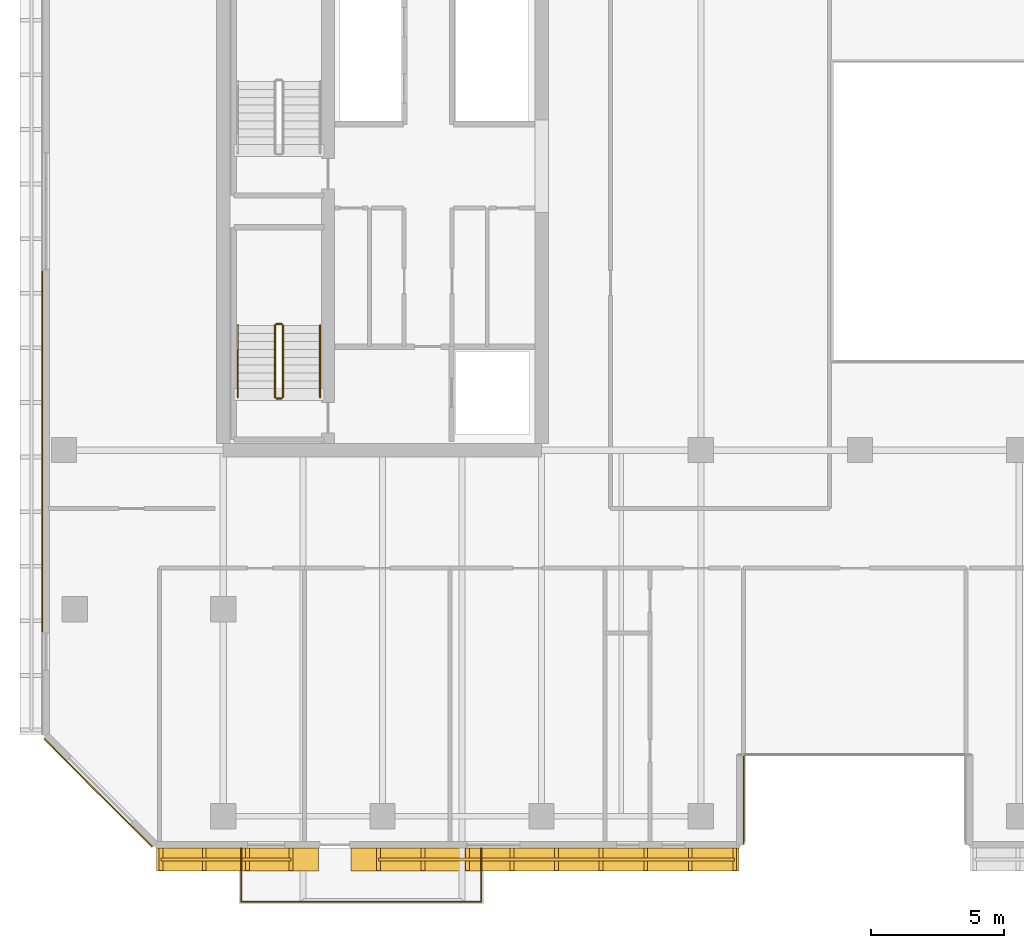
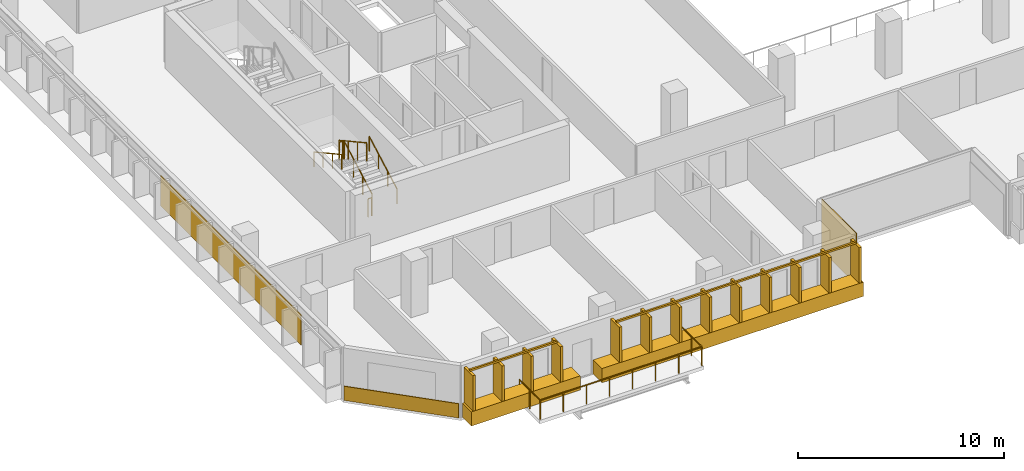
# One storey, part 18 of 23: 9 railings, 5 coverings.
"""IFC4 building model written with IfcOpenShell, lengths in metres."""

from ifc_helpers import new_model, si_unit, direction, frame, origin, origin_2d, place, context, subcontext, project, spatial, rectangle, extrude, material, layer, layer_set, type_object, element, save


model = new_model("IFC4")

# Units and contexts
model_context = context("Model", 3, precision=1e-05, world=origin(), true_north=direction((0.0, 1.0)))
body_context = subcontext(model_context, "Body", "Model", "MODEL_VIEW")
ifc_project = project(units=[si_unit("LENGTHUNIT", "METRE"), si_unit("AREAUNIT", "SQUARE_METRE"), si_unit("VOLUMEUNIT", "CUBIC_METRE"), si_unit("PLANEANGLEUNIT", "RADIAN"), si_unit("MASSUNIT", "GRAM", prefix="KILO")], contexts=[model_context])

# Site, building, storey
site_placement = place(None, origin())
site = spatial("IfcSite", under=ifc_project, at=site_placement, CompositionType="ELEMENT")
building_placement = place(site_placement, origin())
building = spatial("IfcBuilding", under=site, at=building_placement, Name="Tanjung Sevakor Pilgrim Tower", CompositionType="ELEMENT")
storey_placement = place(building_placement, frame((0.0, 0.0, 105.27001953125)))
storey = spatial("IfcBuildingStorey", under=building, at=storey_placement, Name="L29", CompositionType="ELEMENT", Elevation=105.27001953125)

# Coverings
ifc_material_1 = material(Name="Reconstructed Limestone Cladding", Category="masonry")
ifc_layer = layer(ifc_material_1, 0.044921875)
ifc_layer_set = layer_set([ifc_layer], Name="COV-CLAD-LIMESTONE")
covering_type = type_object("IfcCoveringType", Name="COV-CLAD-LIMESTONE", PredefinedType="CLADDING", material=ifc_layer_set)
covering_1_placement = place(storey_placement, frame((24.541015625, 9.169921875, 0.009765625), z_axis=(0.0, 0.0, 1.0), x_axis=(1.0, 0.0, 0.0)))
element("IfcCovering", 1, at=covering_1_placement, inside=storey, type_object=covering_type, Name="L29 Warm Limestone Sill Spandrel EW-L29-MAIN-1-1", PredefinedType="CLADDING", context=body_context, shape_type="SweptSolid", body=[
    extrude(rectangle(XDim=6.09814453125, YDim=0.860107421875, at=origin_2d()), origin(), (0.0, 0.0, 1.0), 0.840087890625),
])
covering_2_placement = place(storey_placement, frame((36.12255859375, 9.169921875, 0.009765625), z_axis=(0.0, 0.0, 1.0), x_axis=(1.0, 0.0, 0.0)))
element("IfcCovering", 2, at=covering_2_placement, inside=storey, type_object=covering_type, Name="L29 Warm Limestone Sill Spandrel EW-L29-MAIN-1-2", PredefinedType="CLADDING", context=body_context, shape_type="SweptSolid", body=[
    extrude(rectangle(XDim=14.625, YDim=0.860107421875, at=origin_2d()), origin(), (0.0, 0.0, 1.0), 0.840087890625),
])
covering_3_placement = place(storey_placement, frame((43.62255859375, 11.425048828125, 0.02001953125), z_axis=(0.0, 0.0, 1.0), x_axis=(0.0, 1.0, 0.0)))
element("IfcCovering", 3, at=covering_3_placement, inside=storey, type_object=covering_type, Name="L29 Warm Limestone Wall Cladding EW-L29-MAIN-2", PredefinedType="CLADDING", context=body_context, shape_type="SweptSolid", body=[
    extrude(rectangle(XDim=3.360107421875, YDim=0.044921875, at=origin_2d()), origin(), (0.0, 0.0, 1.0), 3.0400390625),
])
covering_4_placement = place(storey_placement, frame((17.177490234375, 24.552978515625, 0.849853515625), z_axis=(0.0, 0.0, 1.0), x_axis=(0.0, -1.0, 0.0)))
element("IfcCovering", 4, at=covering_4_placement, inside=storey, type_object=covering_type, Name="L29 Warm Limestone Pier Panel EW-L29-MAIN-15-2", PredefinedType="CLADDING", context=body_context, shape_type="SweptSolid", body=[
    extrude(rectangle(XDim=13.593994140625, YDim=0.044921875, at=origin_2d()), origin(), (0.0, 0.0, 1.0), 1.81005859375),
])
covering_5_placement = place(storey_placement, frame((19.2841796875, 11.68408203125, 0.009765625), z_axis=(0.0, 0.0, 1.0), x_axis=(0.707106781187, -0.707106781187, 0.0)))
element("IfcCovering", 5, at=covering_5_placement, inside=storey, type_object=covering_type, Name="L29 Warm Limestone Sill Spandrel EW-CHM-L29-MAIN-15-1", PredefinedType="CLADDING", context=body_context, shape_type="SweptSolid", body=[
    extrude(rectangle(XDim=5.756103515625, YDim=0.044921875, at=origin_2d()), origin(), (0.0, 0.0, 1.0), 0.840087890625),
])

# Railings
ifc_material_2 = material(Name="Laminated Glass and Aluminium", Category="aluminium")
railing_type_1 = type_object("IfcRailingType", Name="RL-BAL-BALUST", PredefinedType="BALUSTRADE", material=ifc_material_2)
railing_1_placement = place(storey_placement, frame((24.679931640625, 9.60009765625, 0.0)))
element("IfcRailing", 6, at=railing_1_placement, inside=storey, type_object=railing_type_1, Name="L29 Loggia Balustrade MAIN-S1", PredefinedType="BALUSTRADE", context=body_context, shape_type="SweptSolid", body=[
    extrude(rectangle(XDim=0.0479, YDim=0.0479), frame((0.0, 0.0, 1.1259765625), z_axis=(0.0, -1.0, 0.0), x_axis=(1.0, 0.0, 0.0)), (0.0, 0.0, 1.0), 2.02001953125),
    extrude(rectangle(XDim=0.0479, YDim=0.0479), frame((0.0, -2.02001953125, 1.1259765625), z_axis=(1.0, 0.0, 0.0), x_axis=(0.0, 1.0, 0.0)), (0.0, 0.0, 1.0), 9.0400390625),
    extrude(rectangle(XDim=0.0479, YDim=0.0479), frame((9.0400390625, -2.02001953125, 1.1259765625), z_axis=(0.0, 1.0, 0.0), x_axis=(-1.0, 0.0, 0.0)), (0.0, 0.0, 1.0), 2.02001953125),
    extrude(rectangle(XDim=0.042, YDim=0.042), origin(), (0.0, 0.0, 1.0), 1.101806640625),
    extrude(rectangle(XDim=0.042, YDim=0.042), frame((0.0, -1.010009765625, 0.0)), (0.0, 0.0, 1.0), 1.101806640625),
    extrude(rectangle(XDim=0.042, YDim=0.042), frame((0.0, -2.02001953125, 0.0)), (0.0, 0.0, 1.0), 1.101806640625),
    extrude(rectangle(XDim=0.042, YDim=0.042), frame((1.29150390625, -2.02001953125, 0.0)), (0.0, 0.0, 1.0), 1.101806640625),
    extrude(rectangle(XDim=0.042, YDim=0.042), frame((2.582763671875, -2.02001953125, 0.0)), (0.0, 0.0, 1.0), 1.101806640625),
    extrude(rectangle(XDim=0.042, YDim=0.042), frame((3.874267578125, -2.02001953125, 0.0)), (0.0, 0.0, 1.0), 1.101806640625),
    extrude(rectangle(XDim=0.042, YDim=0.042), frame((5.165771484375, -2.02001953125, 0.0)), (0.0, 0.0, 1.0), 1.101806640625),
    extrude(rectangle(XDim=0.042, YDim=0.042), frame((6.457275390625, -2.02001953125, 0.0)), (0.0, 0.0, 1.0), 1.101806640625),
    extrude(rectangle(XDim=0.042, YDim=0.042), frame((7.74853515625, -2.02001953125, 0.0)), (0.0, 0.0, 1.0), 1.101806640625),
    extrude(rectangle(XDim=0.042, YDim=0.042), frame((9.0400390625, -2.02001953125, 0.0)), (0.0, 0.0, 1.0), 1.101806640625),
    extrude(rectangle(XDim=0.042, YDim=0.042), frame((9.0400390625, -1.010009765625, 0.0)), (0.0, 0.0, 1.0), 1.101806640625),
    extrude(rectangle(XDim=0.042, YDim=0.042), frame((9.0400390625, 0.0, 0.0)), (0.0, 0.0, 1.0), 1.101806640625),
])
ifc_material_3 = material(Name="Anodised Bronze Aluminium 6063-T6", Category="aluminium")
railing_type_2 = type_object("IfcRailingType", Name="RL-FIN-SCREEN", PredefinedType="BALUSTRADE", material=ifc_material_3)
railing_2_placement = place(storey_placement, frame((21.65185546875, 9.175048828125, 0.840087890625)))
element("IfcRailing", 7, at=railing_2_placement, inside=storey, type_object=railing_type_2, Name="L29 Vertical Bronze-Gold Solar Fin Screen FNSCR-EW-L29-MAIN-1-1", PredefinedType="BALUSTRADE", context=body_context, shape_type="SweptSolid", body=[
    extrude(rectangle(XDim=0.105, YDim=0.105), frame((0.0, 0.0, 2.157470703125), z_axis=(1.0, 0.0, 0.0), x_axis=(0.0, 1.0, 0.0)), (0.0, 0.0, 1.0), 4.898193359375),
    extrude(rectangle(XDim=0.14, YDim=0.85), origin(), (0.0, 0.0, 1.0), 2.10498046875),
    extrude(rectangle(XDim=0.14, YDim=0.85), frame((1.6328125, 0.0, 0.0)), (0.0, 0.0, 1.0), 2.10498046875),
    extrude(rectangle(XDim=0.14, YDim=0.85), frame((3.265380859375, 0.0, 0.0)), (0.0, 0.0, 1.0), 2.10498046875),
    extrude(rectangle(XDim=0.14, YDim=0.85), frame((4.898193359375, 0.0, 0.0)), (0.0, 0.0, 1.0), 2.10498046875),
])
railing_3_placement = place(storey_placement, frame((29.85009765625, 9.175048828125, 0.840087890625)))
element("IfcRailing", 8, at=railing_3_placement, inside=storey, type_object=railing_type_2, Name="L29 Vertical Bronze-Gold Solar Fin Screen FNSCR-EW-L29-MAIN-1-2", PredefinedType="BALUSTRADE", context=body_context, shape_type="SweptSolid", body=[
    extrude(rectangle(XDim=0.105, YDim=0.105), frame((0.0, 0.0, 2.157470703125), z_axis=(1.0, 0.0, 0.0), x_axis=(0.0, 1.0, 0.0)), (0.0, 0.0, 1.0), 13.4248046875),
    extrude(rectangle(XDim=0.14, YDim=0.85), origin(), (0.0, 0.0, 1.0), 2.10498046875),
    extrude(rectangle(XDim=0.14, YDim=0.85), frame((1.67822265625, 0.0, 0.0)), (0.0, 0.0, 1.0), 2.10498046875),
    extrude(rectangle(XDim=0.14, YDim=0.85), frame((3.356201171875, 0.0, 0.0)), (0.0, 0.0, 1.0), 2.10498046875),
    extrude(rectangle(XDim=0.14, YDim=0.85), frame((5.0341796875, 0.0, 0.0)), (0.0, 0.0, 1.0), 2.10498046875),
    extrude(rectangle(XDim=0.14, YDim=0.85), frame((6.71240234375, 0.0, 0.0)), (0.0, 0.0, 1.0), 2.10498046875),
    extrude(rectangle(XDim=0.14, YDim=0.85), frame((8.390625, 0.0, 0.0)), (0.0, 0.0, 1.0), 2.10498046875),
    extrude(rectangle(XDim=0.14, YDim=0.85), frame((10.068603515625, 0.0, 0.0)), (0.0, 0.0, 1.0), 2.10498046875),
    extrude(rectangle(XDim=0.14, YDim=0.85), frame((11.74658203125, 0.0, 0.0)), (0.0, 0.0, 1.0), 2.10498046875),
    extrude(rectangle(XDim=0.14, YDim=0.85), frame((13.4248046875, 0.0, 0.0)), (0.0, 0.0, 1.0), 2.10498046875),
])
ifc_material_4 = material(Name="Steel S355J2", Category="steel")
railing_type_3 = type_object("IfcRailingType", Name="RL-STAIR-GUARD", PredefinedType="GUARDRAIL", material=ifc_material_4)
railing_4_placement = place(storey_placement, frame((26.25, 26.60009765625, 0.1650390625)))
element("IfcRailing", 9, at=railing_4_placement, inside=storey, type_object=railing_type_3, Name="L29 TS-W1 stair guard 1", PredefinedType="GUARDRAIL", context=body_context, shape_type="SweptSolid", body=[
    extrude(rectangle(XDim=0.0479, YDim=0.0479), frame((0.0, 0.0, 1.076171875), z_axis=(0.0, 0.876230963923, 0.481891375584), x_axis=(-1.0, 0.0, 0.0)), (0.0, 0.0, 1.0), 3.081298828125),
    extrude(rectangle(XDim=0.042, YDim=0.042), origin(), (0.0, 0.0, 1.0), 1.052001953125),
    extrude(rectangle(XDim=0.042, YDim=0.042), frame((0.0, 0.89990234375, 0.494873046875)), (0.0, 0.0, 1.0), 1.052001953125),
    extrude(rectangle(XDim=0.042, YDim=0.042), frame((0.0, 1.800048828125, 0.989990234375)), (0.0, 0.0, 1.0), 1.052001953125),
    extrude(rectangle(XDim=0.042, YDim=0.042), frame((0.0, 2.699951171875, 1.48486328125)), (0.0, 0.0, 1.0), 1.052001953125),
])
railing_5_placement = place(storey_placement, frame((26.199951171875, 29.35009765625, 1.64990234375)))
element("IfcRailing", 10, at=railing_5_placement, inside=storey, type_object=railing_type_3, Name="L29 TS-W1 stair guard 2", PredefinedType="GUARDRAIL", context=body_context, shape_type="SweptSolid", body=[
    extrude(rectangle(XDim=0.0479, YDim=0.0479), frame((0.0, 0.0, 1.076171875), z_axis=(-1.0, 0.0, 0.0), x_axis=(0.0, -1.0, 0.0)), (0.0, 0.0, 1.0), 0.199951171875),
    extrude(rectangle(XDim=0.042, YDim=0.042), origin(), (0.0, 0.0, 1.0), 1.052001953125),
    extrude(rectangle(XDim=0.042, YDim=0.042), frame((-0.199951171875, 0.0, 0.0)), (0.0, 0.0, 1.0), 1.052001953125),
])
railing_6_placement = place(storey_placement, frame((25.949951171875, 29.300048828125, 1.81494140625)))
element("IfcRailing", 11, at=railing_6_placement, inside=storey, type_object=railing_type_3, Name="L29 TS-W1 stair guard 3", PredefinedType="GUARDRAIL", context=body_context, shape_type="SweptSolid", body=[
    extrude(rectangle(XDim=0.0479, YDim=0.0479), frame((0.0, 0.0, 1.076171875), z_axis=(0.0, -0.876197507361, 0.481952205197), x_axis=(1.0, 0.0, 0.0)), (0.0, 0.0, 1.0), 3.08154296875),
    extrude(rectangle(XDim=0.042, YDim=0.042), origin(), (0.0, 0.0, 1.0), 1.052001953125),
    extrude(rectangle(XDim=0.042, YDim=0.042), frame((0.0, -0.89990234375, 0.4951171875)), (0.0, 0.0, 1.0), 1.052001953125),
    extrude(rectangle(XDim=0.042, YDim=0.042), frame((0.0, -1.800048828125, 0.989990234375)), (0.0, 0.0, 1.0), 1.052001953125),
    extrude(rectangle(XDim=0.042, YDim=0.042), frame((0.0, -2.699951171875, 1.485107421875)), (0.0, 0.0, 1.0), 1.052001953125),
])
railing_7_placement = place(storey_placement, frame((26.199951171875, 26.550048828125, 0.0)))
element("IfcRailing", 12, at=railing_7_placement, inside=storey, type_object=railing_type_3, Name="L29 TS-W1 stair guard 4", PredefinedType="GUARDRAIL", context=body_context, shape_type="SweptSolid", body=[
    extrude(rectangle(XDim=0.0479, YDim=0.0479), frame((0.0, 0.0, 1.076171875), z_axis=(-1.0, 0.0, 0.0), x_axis=(0.0, -1.0, 0.0)), (0.0, 0.0, 1.0), 0.199951171875),
    extrude(rectangle(XDim=0.042, YDim=0.042), origin(), (0.0, 0.0, 1.0), 1.052001953125),
    extrude(rectangle(XDim=0.042, YDim=0.042), frame((-0.199951171875, 0.0, 0.0)), (0.0, 0.0, 1.0), 1.052001953125),
])
ifc_material_5 = material(Name="Steel S355J2", Category="steel")
railing_type_4 = type_object("IfcRailingType", Name="RL-STAIR-HAND", PredefinedType="HANDRAIL", material=ifc_material_5)
railing_8_placement = place(storey_placement, frame((27.64990234375, 26.60009765625, 0.1650390625)))
element("IfcRailing", 13, at=railing_8_placement, inside=storey, type_object=railing_type_4, Name="L29 TS-W1 stair handrail 1", PredefinedType="HANDRAIL", context=body_context, shape_type="SweptSolid", body=[
    extrude(rectangle(XDim=0.0479, YDim=0.0479), frame((0.0, 0.0, 0.8759765625), z_axis=(0.0, 0.876230963923, 0.481891375584), x_axis=(-1.0, 0.0, 0.0)), (0.0, 0.0, 1.0), 3.081298828125),
    extrude(rectangle(XDim=0.042, YDim=0.042), origin(), (0.0, 0.0, 1.0), 0.851806640625),
    extrude(rectangle(XDim=0.042, YDim=0.042), frame((0.0, 0.89990234375, 0.494873046875)), (0.0, 0.0, 1.0), 0.851806640625),
    extrude(rectangle(XDim=0.042, YDim=0.042), frame((0.0, 1.800048828125, 0.989990234375)), (0.0, 0.0, 1.0), 0.851806640625),
    extrude(rectangle(XDim=0.042, YDim=0.042), frame((0.0, 2.699951171875, 1.48486328125)), (0.0, 0.0, 1.0), 0.851806640625),
])
railing_9_placement = place(storey_placement, frame((24.550048828125, 29.300048828125, 1.81494140625)))
element("IfcRailing", 14, at=railing_9_placement, inside=storey, type_object=railing_type_4, Name="L29 TS-W1 stair handrail 2", PredefinedType="HANDRAIL", context=body_context, shape_type="SweptSolid", body=[
    extrude(rectangle(XDim=0.0479, YDim=0.0479), frame((0.0, 0.0, 0.8759765625), z_axis=(0.0, -0.876197507361, 0.481952205197), x_axis=(1.0, 0.0, 0.0)), (0.0, 0.0, 1.0), 3.08154296875),
    extrude(rectangle(XDim=0.042, YDim=0.042), origin(), (0.0, 0.0, 1.0), 0.851806640625),
    extrude(rectangle(XDim=0.042, YDim=0.042), frame((0.0, -0.89990234375, 0.4951171875)), (0.0, 0.0, 1.0), 0.851806640625),
    extrude(rectangle(XDim=0.042, YDim=0.042), frame((0.0, -1.800048828125, 0.989990234375)), (0.0, 0.0, 1.0), 0.851806640625),
    extrude(rectangle(XDim=0.042, YDim=0.042), frame((0.0, -2.699951171875, 1.485107421875)), (0.0, 0.0, 1.0), 0.851806640625),
])

save(model, "model.ifc")
